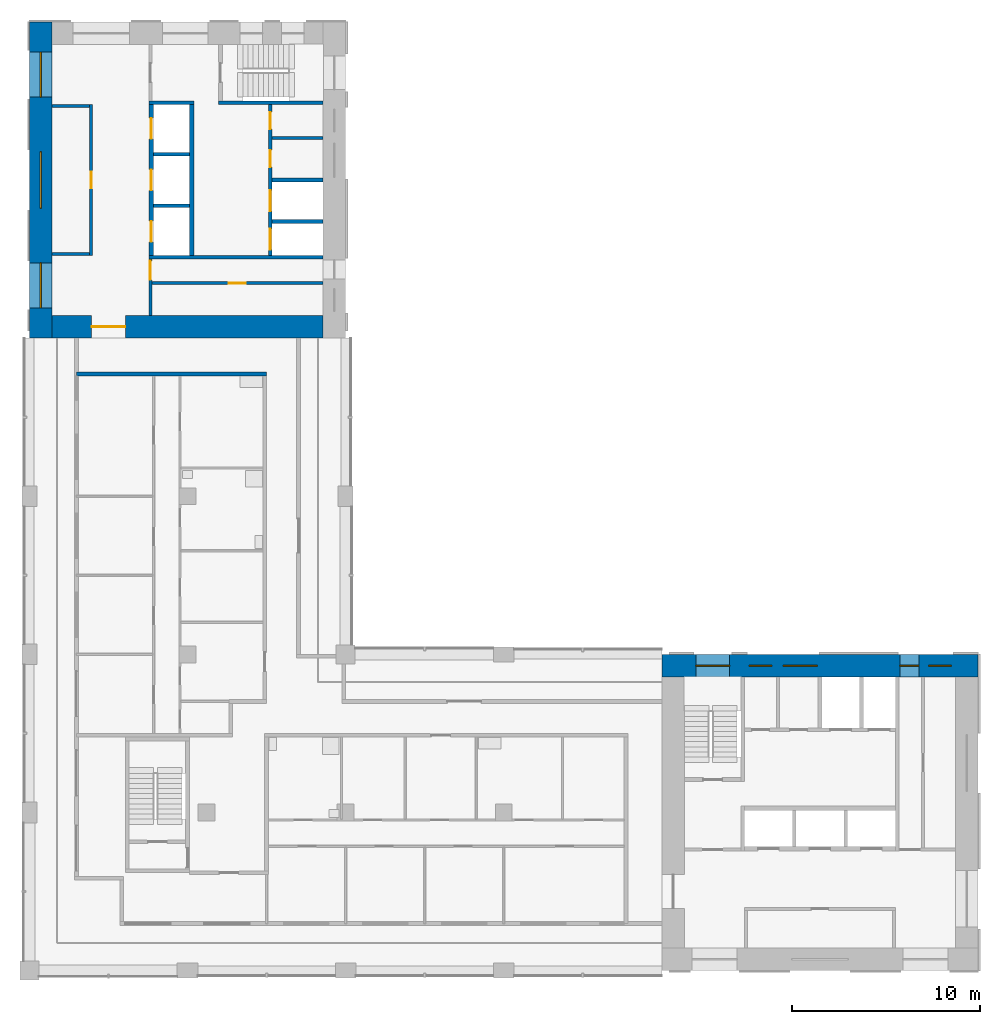
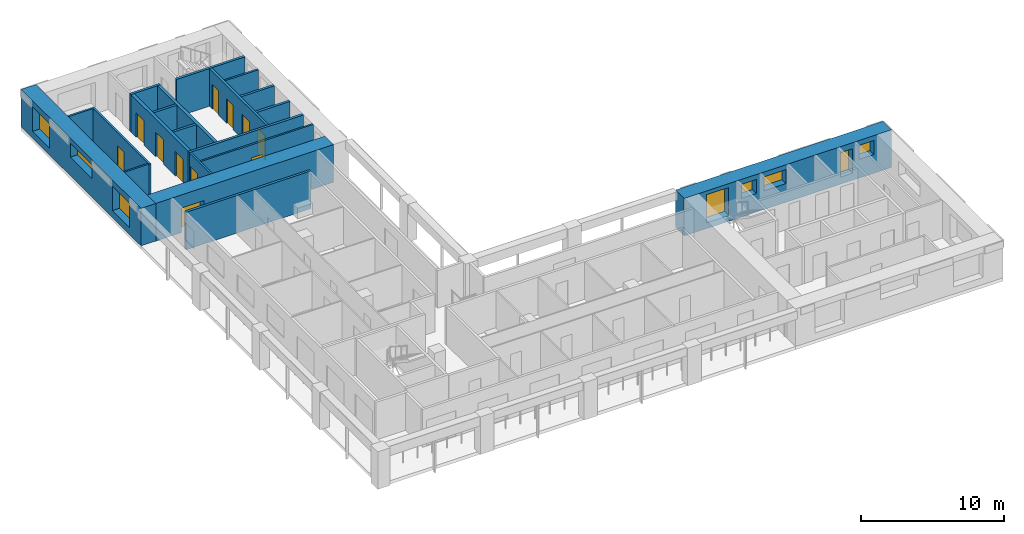
# One storey, part 5 of 9: 20 walls, 11 doors, 8 windows, 19 openings.
"""IFC4 building model written with IfcOpenShell, lengths in metres."""

import ifcopenshell
import ifcopenshell.guid

model = None  # the IFC model being written
_history = None  # IfcOwnerHistory: only IFC2X3 demands one
_inside = {}  # id of a spatial element -> (the spatial element, [elements in it])
_under = {}  # id of a project, library or spatial element -> (it, [spatial elements below it])
_declared = {}  # id of a project -> (the project, [libraries it declares])
_typed = {}  # id of a type object -> (the type object, [elements of that type])
_made_of = {}  # id of a material, layer set ... -> (it, [elements and type objects made of it])


def new_model(schema):
    """Start an empty IFC model of exactly this schema.

    Asked for "IFC4X3", IfcOpenShell would pick the latest addendum, in which some entities
    have other attributes; the version numbers below select the first issue.
    IFC2X3 requires an IfcOwnerHistory on every rooted entity: one is made here for all.
    """
    global model, _history
    if schema == "IFC4X3":
        model = ifcopenshell.file(schema_version=(4, 3, 0, 0))
    else:
        model = ifcopenshell.file(schema=schema)
    _inside.clear()
    _under.clear()
    _declared.clear()
    _typed.clear()
    _made_of.clear()
    _history = None
    if model.schema == "IFC2X3":
        org = make("IfcOrganization", Name="unknown")
        user = make(
            "IfcPersonAndOrganization",
            ThePerson=make("IfcPerson", FamilyName="unknown"),
            TheOrganization=org,
        )
        app = make(
            "IfcApplication",
            ApplicationDeveloper=org,
            Version="unknown",
            ApplicationFullName="unknown",
            ApplicationIdentifier="unknown",
        )
        _history = make(
            "IfcOwnerHistory",
            OwningUser=user,
            OwningApplication=app,
            ChangeAction="ADDED",
            CreationDate=0,
        )
    return model


def make(cls, **values):
    """One entity of the class cls with the attributes given. An attribute that is None is left unset."""
    return model.create_entity(
        cls, **{name: value for name, value in values.items() if value is not None}
    )


def rooted(cls, **values):
    """An entity with a GlobalId (a new one), such as an element, a storey or a relation."""
    return make(cls, GlobalId=ifcopenshell.guid.new(), OwnerHistory=_history, **values)


def si_unit(unit_type, name, prefix=None):
    """IfcSIUnit, for example si_unit("LENGTHUNIT", "METRE", prefix="MILLI")."""
    return make("IfcSIUnit", UnitType=unit_type, Prefix=prefix, Name=name)


def assignment(units):
    """IfcUnitAssignment: the units of a project."""
    return None if units is None else make("IfcUnitAssignment", Units=units)


def point(xyz):
    """IfcCartesianPoint."""
    return None if xyz is None else make("IfcCartesianPoint", Coordinates=xyz)


def direction(xyz):
    """IfcDirection."""
    return None if xyz is None else make("IfcDirection", DirectionRatios=xyz)


def frame(location, z_axis=None, x_axis=None):
    """IfcAxis2Placement3D, a coordinate frame: its origin and axes. An axis left out is left unset."""
    return make(
        "IfcAxis2Placement3D",
        Location=point(location),
        Axis=direction(z_axis),
        RefDirection=direction(x_axis),
    )


def frame_2d(location, x_axis=None):
    """IfcAxis2Placement2D, a coordinate frame in the plane: its origin and x axis."""
    return make(
        "IfcAxis2Placement2D", Location=point(location), RefDirection=direction(x_axis)
    )


def origin():
    """The frame at (0, 0, 0) with its axes left unset."""
    return frame((0.0, 0.0, 0.0))


def place(relative_to, where):
    """IfcLocalPlacement: puts the frame where relative to a parent placement (None: the world)."""
    return make(
        "IfcLocalPlacement", PlacementRelTo=relative_to, RelativePlacement=where
    )


def context(
    kind, dimensions, precision=None, world=None, true_north=None, identifier=None
):
    """IfcGeometricRepresentationContext, for example the 3D "Model" context."""
    return make(
        "IfcGeometricRepresentationContext",
        ContextIdentifier=identifier,
        ContextType=kind,
        CoordinateSpaceDimension=dimensions,
        Precision=precision,
        WorldCoordinateSystem=world,
        TrueNorth=true_north,
    )


def subcontext(parent, identifier, kind, view, scale=None):
    """IfcGeometricRepresentationSubContext, for example "Body" below "Model"."""
    return make(
        "IfcGeometricRepresentationSubContext",
        ContextIdentifier=identifier,
        ContextType=kind,
        ParentContext=parent,
        TargetScale=scale,
        TargetView=view,
    )


def project(units=None, contexts=None):
    """IfcProject with its units and contexts."""
    return rooted(
        "IfcProject",
        Name="project",
        RepresentationContexts=contexts,
        UnitsInContext=assignment(units),
    )


def spatial(cls, under=None, at=None, **own):
    """A site, building, storey or space (cls), placed at a placement, below another one or the project."""
    s = rooted(cls, ObjectPlacement=at, **own)
    if under is not None:
        _under.setdefault(under.id(), (under, []))[1].append(s)
    return s


def profile(cls, at=None, kind="AREA", **sizes):
    """A parametric profile (cls). Its sizes go by their IFC names, for example OverallWidth=200.0."""
    return make(cls, ProfileType=kind, Position=at, **sizes)


def rectangle(**sizes):
    """IfcRectangleProfileDef."""
    return profile("IfcRectangleProfileDef", **sizes)


def extrude(swept, where, along, depth):
    """IfcExtrudedAreaSolid: the profile swept, set in the frame where, extruded along a direction by depth."""
    return make(
        "IfcExtrudedAreaSolid",
        SweptArea=swept,
        Position=where,
        ExtrudedDirection=direction(along),
        Depth=depth,
    )


def shape(context_of_items, identifier, shape_type, items):
    """IfcShapeRepresentation: the items that make up one representation, for example the "Body"."""
    return make(
        "IfcShapeRepresentation",
        ContextOfItems=context_of_items,
        RepresentationIdentifier=identifier,
        RepresentationType=shape_type,
        Items=items,
    )


def material(Name=None, Category=None):
    """IfcMaterial."""
    return make("IfcMaterial", Name=Name, Category=Category)


def layer(
    of_material, thickness, ventilated=None, Name=None, Category=None, Priority=None
):
    """IfcMaterialLayer: one layer of a wall or slab, of a material (None: an air gap)."""
    return make(
        "IfcMaterialLayer",
        Material=of_material,
        LayerThickness=thickness,
        IsVentilated=ventilated,
        Name=Name,
        Category=Category,
        Priority=Priority,
    )


def layer_set(layers, Name=None):
    """IfcMaterialLayerSet."""
    return make("IfcMaterialLayerSet", MaterialLayers=layers, LayerSetName=Name)


def made_of(thing, what):
    """Note that an element or type object is made of a material, layer set ...; save() writes the relation."""
    if what is not None:
        _made_of.setdefault(what.id(), (what, []))[1].append(thing)
    return thing


def type_object(cls, material=None, **own):
    """A type object (cls), such as IfcWallType, which elements share."""
    return made_of(rooted(cls, **own), material)


def element(
    cls,
    number,
    at=None,
    inside=None,
    cuts=None,
    type_object=None,
    material=None,
    context=None,
    identifier="Body",
    shape_type=None,
    held_by="IfcProductDefinitionShape",
    body=None,
    shapes=None,
    **own,
):
    """One element of the class cls, such as IfcWall. Its Tag is "e" and its number.

    at: its placement. inside: the storey or other place that contains it. cuts: it is an
    opening in that element (IfcRelVoidsElement). A single representation is given by context,
    identifier, shape_type and body (its items); several are given by shapes. held_by: the class
    of the entity that holds the representations. save() writes the other relations.
    """
    e = rooted(cls, Tag="e%d" % number, ObjectPlacement=at, **own)
    if body is not None:
        shapes = [shape(context, identifier, shape_type, body)]
    if shapes is not None:
        e.Representation = make(held_by, Representations=shapes)
    if inside is not None:
        _inside.setdefault(inside.id(), (inside, []))[1].append(e)
    if cuts is not None:
        rooted(
            "IfcRelVoidsElement", RelatingBuildingElement=cuts, RelatedOpeningElement=e
        )
    if type_object is not None:
        _typed.setdefault(type_object.id(), (type_object, []))[1].append(e)
    return made_of(e, material)


def fill(opening, filler):
    """IfcRelFillsElement: the door or window that sits in an opening."""
    return rooted(
        "IfcRelFillsElement",
        RelatingOpeningElement=opening,
        RelatedBuildingElement=filler,
    )


def aggregate(whole, parts):
    """IfcRelAggregates: a whole, such as a stair, and the parts it consists of."""
    return rooted("IfcRelAggregates", RelatingObject=whole, RelatedObjects=parts)


def save(model, path):
    """Write the relations noted so far, then the file.

    IfcRelAggregates (storeys below a building ...), IfcRelContainedInSpatialStructure (elements
    in a storey), IfcRelDefinesByType, IfcRelAssociatesMaterial and IfcRelDeclares: one each for
    every whole, place, type object, material and project.
    """
    for whole, parts in _under.values():
        aggregate(whole, parts)
    for where, things in _inside.values():
        rooted(
            "IfcRelContainedInSpatialStructure",
            RelatedElements=things,
            RelatingStructure=where,
        )
    for kind, things in _typed.values():
        rooted("IfcRelDefinesByType", RelatedObjects=things, RelatingType=kind)
    for what, things in _made_of.values():
        rooted("IfcRelAssociatesMaterial", RelatedObjects=things, RelatingMaterial=what)
    for by, libraries in _declared.values():
        rooted("IfcRelDeclares", RelatingContext=by, RelatedDefinitions=libraries)
    model.write(path)


model = new_model("IFC4")

# Units and contexts
model_context = context("Model", 3, precision=1e-05, world=origin(), true_north=direction((0.0, 1.0)))
body_context = subcontext(model_context, "Body", "Model", "MODEL_VIEW")
ifc_project = project(units=[si_unit("LENGTHUNIT", "METRE"), si_unit("AREAUNIT", "SQUARE_METRE"), si_unit("VOLUMEUNIT", "CUBIC_METRE"), si_unit("PLANEANGLEUNIT", "RADIAN"), si_unit("MASSUNIT", "GRAM", prefix="KILO")], contexts=[model_context])

# Site, building, storey
site_placement = place(None, origin())
site = spatial("IfcSite", under=ifc_project, at=site_placement, CompositionType="ELEMENT")
building_placement = place(site_placement, origin())
building = spatial("IfcBuilding", under=site, at=building_placement, Name="Vermilion Gate Residences", CompositionType="ELEMENT")
storey_placement = place(building_placement, frame((0.0, 0.0, 245.699951171875)))
storey = spatial("IfcBuildingStorey", under=building, at=storey_placement, Name="L64", CompositionType="ELEMENT", Elevation=245.699951171875)

# Walls
ifc_material_1 = material(Name="Masonry blockwork", Category="masonry")
ifc_layer_1 = layer(ifc_material_1, 0.14990234375)
ifc_layer_set_1 = layer_set([ifc_layer_1], Name="BLOCKWORK PARTITION 150 EI 120")
wall_type_1 = type_object("IfcWallType", Name="BLOCKWORK PARTITION 150 EI 120", PredefinedType="PARTITIONING", material=ifc_layer_set_1)
for number, where, z_axis, x_axis, name in (
    (1, (9.60009765625, 54.324951171875, 0.0), (0.0, 0.0, 1.0), (1.0, 0.0, 0.0), "Core room partition B64-RW-W"),
    (2, (9.60009765625, 46.47509765625, 0.0), (0.0, 0.0, 1.0), (1.0, 0.0, 0.0), "Core room partition B64-RW-E"),
):
    element("IfcWall", number, at=place(storey_placement, frame(where, z_axis=z_axis, x_axis=x_axis)), inside=storey, type_object=wall_type_1, Name=name, PredefinedType="PARTITIONING", context=body_context, shape_type="SweptSolid", body=[
        extrude(rectangle(XDim=2.0, YDim=0.14990234375, at=frame_2d((1.0, 0.0))), origin(), (0.0, 0.0, 1.0), 3.219970703125),
    ])

# Wall, opening, door
wall_1_placement = place(storey_placement, frame((11.675048828125, 54.39990234375, 0.0), z_axis=(0.0, 0.0, 1.0), x_axis=(0.0, -1.0, 0.0)))
wall_1 = element("IfcWall", 3, at=wall_1_placement, inside=storey, type_object=wall_type_1, Name="Core room partition B64-LR-F", PredefinedType="PARTITIONING", context=body_context, shape_type="SweptSolid", body=[
    extrude(rectangle(XDim=8.0, YDim=0.14990234375, at=frame_2d((4.0, 0.0))), origin(), (0.0, 0.0, 1.0), 3.219970703125),
])
opening_1_placement = place(wall_1_placement, frame((3.550048828125, 0.0, 0.0)))
opening_1 = element("IfcOpeningElement", 4, at=opening_1_placement, cuts=wall_1, Name="Opening DK64102", PredefinedType="OPENING", context=body_context, shape_type="SweptSolid", body=[
    extrude(rectangle(XDim=0.89990234375, YDim=2.10009765625, at=frame_2d((0.449951171875, 1.050048828125))), frame((0.0, 0.0849609375, 0.0), z_axis=(0.0, -1.0, 0.0), x_axis=(1.0, 0.0, 0.0)), (0.0, 0.0, 1.0), 0.169921875),
])
ifc_material_2 = material(Name="Steel", Category="steel")
door_type_1 = type_object("IfcDoorType", Name="SERVICE ROOM DOOR FD60 900 X 2100", OperationType="SINGLE_SWING_LEFT", PredefinedType="DOOR", material=ifc_material_2)
door_1_placement = place(opening_1_placement, frame((0.89990234375, 0.0, 0.0), z_axis=(0.0, 0.0, 1.0), x_axis=(-1.0, 0.0, 0.0)))
door_1 = element("IfcDoor", 5, at=door_1_placement, inside=storey, type_object=door_type_1, Name="Refuse room B64", OperationType="SINGLE_SWING_RIGHT", OverallHeight=2.10009765625, OverallWidth=0.89990234375, PredefinedType="DOOR", context=body_context, shape_type="SweptSolid", body=[
    extrude(rectangle(XDim=0.89990234375, YDim=2.10009765625, at=frame_2d((0.449951171875, 1.050048828125))), frame((0.0, 0.02490234375, 0.0), z_axis=(0.0, -1.0, 0.0), x_axis=(1.0, 0.0, 0.0)), (0.0, 0.0, 1.0), 0.050048828125),
])
fill(opening_1, door_1)

# Wall
wall_2_placement = place(storey_placement, frame((21.300048828125, 52.637451171875, 0.0), z_axis=(0.0, 0.0, 1.0), x_axis=(1.0, 0.0, 0.0)))
element("IfcWall", 6, at=wall_2_placement, inside=storey, type_object=wall_type_1, Name="Core room partition B64-NR-P0", PredefinedType="PARTITIONING", context=body_context, shape_type="SweptSolid", body=[
    extrude(rectangle(XDim=2.699951171875, YDim=0.14990234375, at=frame_2d((1.35009765625, 0.0))), origin(), (0.0, 0.0, 1.0), 3.219970703125),
])

# Wall, opening, door
wall_3_placement = place(storey_placement, frame((14.824951171875, 46.199951171875, 0.0), z_axis=(0.0, 0.0, 1.0), x_axis=(0.0, -1.0, 0.0)))
wall_3 = element("IfcWall", 7, at=wall_3_placement, inside=storey, type_object=wall_type_1, Name="Core room partition B64-ES-S", PredefinedType="PARTITIONING", context=body_context, shape_type="SweptSolid", body=[
    extrude(rectangle(XDim=3.0, YDim=0.14990234375, at=frame_2d((1.5, 0.0))), origin(), (0.0, 0.0, 1.0), 3.219970703125),
])
opening_2_placement = place(wall_3_placement, frame((0.10009765625, 0.0, 0.0)))
opening_2 = element("IfcOpeningElement", 8, at=opening_2_placement, cuts=wall_3, Name="Opening DK64112", PredefinedType="OPENING", context=body_context, shape_type="SweptSolid", body=[
    extrude(rectangle(XDim=1.0, YDim=2.10009765625, at=frame_2d((0.5, 1.050048828125))), frame((0.0, 0.0849609375, 0.0), z_axis=(0.0, -1.0, 0.0), x_axis=(1.0, 0.0, 0.0)), (0.0, 0.0, 1.0), 0.169921875),
])
ifc_material_3 = material(Name="Steel", Category="steel")
door_type_2 = type_object("IfcDoorType", Name="FIRE DOOR FD60 1000 X 2100", OperationType="SINGLE_SWING_LEFT", PredefinedType="DOOR", material=ifc_material_3)
door_2_placement = place(opening_2_placement, frame((1.0, 0.0, 0.0), z_axis=(0.0, 0.0, 1.0), x_axis=(-1.0, 0.0, 0.0)))
door_2 = element("IfcDoor", 9, at=door_2_placement, inside=storey, type_object=door_type_2, Name="Service corridor door B64", OperationType="SINGLE_SWING_LEFT", OverallHeight=2.10009765625, OverallWidth=1.0, PredefinedType="DOOR", context=body_context, shape_type="SweptSolid", body=[
    extrude(rectangle(XDim=1.0, YDim=2.10009765625, at=frame_2d((0.5, 1.050048828125))), frame((0.0, 0.02490234375, 0.0), z_axis=(0.0, -1.0, 0.0), x_axis=(1.0, 0.0, 0.0)), (0.0, 0.0, 1.0), 0.050048828125),
])
fill(opening_2, door_2)

wall_4_placement = place(storey_placement, frame((14.89990234375, 44.925048828125, 0.0), z_axis=(0.0, 0.0, 1.0), x_axis=(1.0, 0.0, 0.0)))
wall_4 = element("IfcWall", 10, at=wall_4_placement, inside=storey, type_object=wall_type_1, Name="Core room partition B64-ES-W", PredefinedType="PARTITIONING", context=body_context, shape_type="SweptSolid", body=[
    extrude(rectangle(XDim=9.10009765625, YDim=0.14990234375, at=frame_2d((4.550048828125, 0.0))), origin(), (0.0, 0.0, 1.0), 3.219970703125),
])
opening_3_placement = place(wall_4_placement, frame((4.10009765625, 0.0, 0.0)))
opening_3 = element("IfcOpeningElement", 11, at=opening_3_placement, cuts=wall_4, Name="Opening DK64113", PredefinedType="OPENING", context=body_context, shape_type="SweptSolid", body=[
    extrude(rectangle(XDim=0.89990234375, YDim=2.10009765625, at=frame_2d((0.449951171875, 1.050048828125))), frame((0.0, 0.0849609375, 0.0), z_axis=(0.0, -1.0, 0.0), x_axis=(1.0, 0.0, 0.0)), (0.0, 0.0, 1.0), 0.169921875),
])
door_3_placement = place(opening_3_placement, frame((0.89990234375, 0.0, 0.0), z_axis=(0.0, 0.0, 1.0), x_axis=(-1.0, 0.0, 0.0)))
door_3 = element("IfcDoor", 12, at=door_3_placement, inside=storey, type_object=door_type_1, Name="Parcel room B64", OperationType="SINGLE_SWING_RIGHT", OverallHeight=2.10009765625, OverallWidth=0.89990234375, PredefinedType="DOOR", context=body_context, shape_type="SweptSolid", body=[
    extrude(rectangle(XDim=0.89990234375, YDim=2.10009765625, at=frame_2d((0.449951171875, 1.050048828125))), frame((0.0, 0.02490234375, 0.0), z_axis=(0.0, -1.0, 0.0), x_axis=(1.0, 0.0, 0.0)), (0.0, 0.0, 1.0), 0.050048828125),
])
fill(opening_3, door_3)

# Walls
ifc_material_4 = material(Name="Fire-rated plasterboard on steel studs", Category="steel")
ifc_layer_2 = layer(ifc_material_4, 0.199951171875)
ifc_layer_set_2 = layer_set([ifc_layer_2], Name="PARTY WALL 200 EI 120")
wall_type_2 = type_object("IfcWallType", Name="PARTY WALL 200 EI 120", PredefinedType="PARTITIONING", material=ifc_layer_set_2)
wall_5_placement = place(storey_placement, frame((10.89990234375, 40.10009765625, 0.0), z_axis=(0.0, 0.0, 1.0), x_axis=(1.0, 0.0, 0.0)))
element("IfcWall", 13, at=wall_5_placement, inside=storey, type_object=wall_type_2, Name="Party and corridor wall", PredefinedType="PARTITIONING", context=body_context, shape_type="SweptSolid", body=[
    extrude(rectangle(XDim=10.10009765625, YDim=0.199951171875, at=frame_2d((5.050048828125, 0.0))), origin(), (0.0, 0.0, 1.0), 3.219970703125),
])
ifc_material_5 = material(Name="Concrete C60", Category="concrete")
ifc_layer_3 = layer(ifc_material_5, 0.199951171875)
ifc_layer_set_3 = layer_set([ifc_layer_3], Name="RC CORE INTERNAL WALL 200 C60")
wall_type_3 = type_object("IfcWallType", Name="RC CORE INTERNAL WALL 200 C60", PredefinedType="SHEAR", material=ifc_layer_set_3)
for number, where, z_axis, x_axis, name in (
    (14, (15.0, 51.7666015625, 0.0), (0.0, 0.0, 1.0), (1.0, 0.0, 0.0), "Core internal wall B64-HR-D1"),
    (15, (15.0, 49.033447265625, 0.0), (0.0, 0.0, 1.0), (1.0, 0.0, 0.0), "Core internal wall B64-HR-D2"),
):
    element("IfcWall", number, at=place(storey_placement, frame(where, z_axis=z_axis, x_axis=x_axis)), inside=storey, type_object=wall_type_3, Name=name, PredefinedType="SHEAR", context=body_context, shape_type="SweptSolid", body=[
        extrude(rectangle(XDim=1.89990234375, YDim=0.199951171875, at=frame_2d((0.949951171875, 0.0))), origin(), (0.0, 0.0, 1.0), 3.219970703125),
    ])
for number, where, z_axis, x_axis, name in (
    (16, (21.300048828125, 50.39990234375, 0.0), (0.0, 0.0, 1.0), (1.0, 0.0, 0.0), "Core internal wall B64-FF-D0"),
    (17, (21.300048828125, 48.199951171875, 0.0), (0.0, 0.0, 1.0), (1.0, 0.0, 0.0), "Core internal wall B64-FF-D1"),
):
    element("IfcWall", number, at=place(storey_placement, frame(where, z_axis=z_axis, x_axis=x_axis)), inside=storey, type_object=wall_type_3, Name=name, PredefinedType="SHEAR", context=body_context, shape_type="SweptSolid", body=[
        extrude(rectangle(XDim=2.699951171875, YDim=0.199951171875, at=frame_2d((1.35009765625, 0.0))), origin(), (0.0, 0.0, 1.0), 3.219970703125),
    ])

# Wall, openings, doors
wall_6_placement = place(storey_placement, frame((21.199951171875, 54.39990234375, 0.0), z_axis=(0.0, 0.0, 1.0), x_axis=(0.0, -1.0, 0.0)))
wall_6 = element("IfcWall", 18, at=wall_6_placement, inside=storey, type_object=wall_type_3, Name="Core internal wall B64-FF-F", PredefinedType="SHEAR", context=body_context, shape_type="SweptSolid", body=[
    extrude(rectangle(XDim=8.0, YDim=0.199951171875, at=frame_2d((4.0, 0.0))), origin(), (0.0, 0.0, 1.0), 3.219970703125),
])
opening_4_placement = place(wall_6_placement, frame((0.393798828125, 0.0, 0.0)))
opening_4 = element("IfcOpeningElement", 19, at=opening_4_placement, cuts=wall_6, Name="Opening DK64106", PredefinedType="OPENING", context=body_context, shape_type="SweptSolid", body=[
    extrude(rectangle(XDim=0.89990234375, YDim=2.10009765625, at=frame_2d((0.449951171875, 1.050048828125))), frame((0.0, 0.10986328125, 0.0), z_axis=(0.0, -1.0, 0.0), x_axis=(1.0, 0.0, 0.0)), (0.0, 0.0, 1.0), 0.219970703125),
])
opening_5_placement = place(wall_6_placement, frame((2.418701171875, 0.0, 0.0)))
opening_5 = element("IfcOpeningElement", 20, at=opening_5_placement, cuts=wall_6, Name="Opening DK64107", PredefinedType="OPENING", context=body_context, shape_type="SweptSolid", body=[
    extrude(rectangle(XDim=0.89990234375, YDim=2.10009765625, at=frame_2d((0.449951171875, 1.050048828125))), frame((0.0, 0.10986328125, 0.0), z_axis=(0.0, -1.0, 0.0), x_axis=(1.0, 0.0, 0.0)), (0.0, 0.0, 1.0), 0.219970703125),
])
opening_6_placement = place(wall_6_placement, frame((4.550048828125, 0.0, 0.0)))
opening_6 = element("IfcOpeningElement", 21, at=opening_6_placement, cuts=wall_6, Name="Opening LD", PredefinedType="OPENING", context=body_context, shape_type="SweptSolid", body=[
    extrude(rectangle(XDim=1.10009765625, YDim=2.10009765625, at=frame_2d((0.550048828125, 1.050048828125))), frame((0.0, 0.10986328125, 0.0), z_axis=(0.0, -1.0, 0.0), x_axis=(1.0, 0.0, 0.0)), (0.0, 0.0, 1.0), 0.219970703125),
])
opening_7_placement = place(wall_6_placement, frame((6.60009765625, 0.0, 0.0)))
opening_7 = element("IfcOpeningElement", 22, at=opening_7_placement, cuts=wall_6, Name="Opening LD", PredefinedType="OPENING", context=body_context, shape_type="SweptSolid", body=[
    extrude(rectangle(XDim=1.10009765625, YDim=2.10009765625, at=frame_2d((0.550048828125, 1.050048828125))), frame((0.0, 0.10986328125, 0.0), z_axis=(0.0, -1.0, 0.0), x_axis=(1.0, 0.0, 0.0)), (0.0, 0.0, 1.0), 0.219970703125),
])
ifc_material_6 = material(Name="Stainless steel", Category="steel")
door_type_3 = type_object("IfcDoorType", Name="LIFT LANDING DOOR E60 1100 X 2100", OperationType="DOUBLE_DOOR_SLIDING", PredefinedType="DOOR", material=ifc_material_6)
door_4_placement = place(opening_6_placement, origin())
door_4 = element("IfcDoor", 23, at=door_4_placement, inside=storey, type_object=door_type_3, Name="Lift landing door LFB1", OperationType="DOUBLE_DOOR_SLIDING", OverallHeight=2.10009765625, OverallWidth=1.10009765625, PredefinedType="DOOR", context=body_context, shape_type="SweptSolid", body=[
    extrude(rectangle(XDim=1.10009765625, YDim=2.10009765625, at=frame_2d((0.550048828125, 1.050048828125))), frame((0.0, 0.02490234375, 0.0), z_axis=(0.0, -1.0, 0.0), x_axis=(1.0, 0.0, 0.0)), (0.0, 0.0, 1.0), 0.050048828125),
])
fill(opening_6, door_4)
door_5_placement = place(opening_7_placement, origin())
door_5 = element("IfcDoor", 24, at=door_5_placement, inside=storey, type_object=door_type_3, Name="Lift landing door LCB1", OperationType="DOUBLE_DOOR_SLIDING", OverallHeight=2.10009765625, OverallWidth=1.10009765625, PredefinedType="DOOR", context=body_context, shape_type="SweptSolid", body=[
    extrude(rectangle(XDim=1.10009765625, YDim=2.10009765625, at=frame_2d((0.550048828125, 1.050048828125))), frame((0.0, 0.02490234375, 0.0), z_axis=(0.0, -1.0, 0.0), x_axis=(1.0, 0.0, 0.0)), (0.0, 0.0, 1.0), 0.050048828125),
])
fill(opening_7, door_5)
door_6_placement = place(opening_4_placement, origin())
door_6 = element("IfcDoor", 25, at=door_6_placement, inside=storey, type_object=door_type_1, Name="Communications riser B64", OperationType="SINGLE_SWING_RIGHT", OverallHeight=2.10009765625, OverallWidth=0.89990234375, PredefinedType="DOOR", context=body_context, shape_type="SweptSolid", body=[
    extrude(rectangle(XDim=0.89990234375, YDim=2.10009765625, at=frame_2d((0.449951171875, 1.050048828125))), frame((0.0, 0.02490234375, 0.0), z_axis=(0.0, -1.0, 0.0), x_axis=(1.0, 0.0, 0.0)), (0.0, 0.0, 1.0), 0.050048828125),
])
fill(opening_4, door_6)
door_7_placement = place(opening_5_placement, origin())
door_7 = element("IfcDoor", 26, at=door_7_placement, inside=storey, type_object=door_type_1, Name="Refuse room B64", OperationType="SINGLE_SWING_RIGHT", OverallHeight=2.10009765625, OverallWidth=0.89990234375, PredefinedType="DOOR", context=body_context, shape_type="SweptSolid", body=[
    extrude(rectangle(XDim=0.89990234375, YDim=2.10009765625, at=frame_2d((0.449951171875, 1.050048828125))), frame((0.0, 0.02490234375, 0.0), z_axis=(0.0, -1.0, 0.0), x_axis=(1.0, 0.0, 0.0)), (0.0, 0.0, 1.0), 0.050048828125),
])
fill(opening_5, door_7)

# Walls
wall_7_placement = place(storey_placement, frame((14.75, 54.5, 0.0), z_axis=(0.0, 0.0, 1.0), x_axis=(1.0, 0.0, 0.0)))
element("IfcWall", 27, at=wall_7_placement, inside=storey, type_object=wall_type_3, Name="Core internal wall B64-WDIV1", PredefinedType="SHEAR", context=body_context, shape_type="SweptSolid", body=[
    extrude(rectangle(XDim=2.39990234375, YDim=0.199951171875, at=frame_2d((1.199951171875, 0.0))), origin(), (0.0, 0.0, 1.0), 3.219970703125),
])
wall_8_placement = place(storey_placement, frame((18.449951171875, 54.5, 0.0), z_axis=(0.0, 0.0, 1.0), x_axis=(1.0, 0.0, 0.0)))
element("IfcWall", 28, at=wall_8_placement, inside=storey, type_object=wall_type_3, Name="Core internal wall B64-WDIV2", PredefinedType="SHEAR", context=body_context, shape_type="SweptSolid", body=[
    extrude(rectangle(XDim=5.550048828125, YDim=0.199951171875, at=frame_2d((2.77490234375, 0.0))), origin(), (0.0, 0.0, 1.0), 3.219970703125),
])
wall_9_placement = place(storey_placement, frame((14.75, 46.300048828125, 0.0), z_axis=(0.0, 0.0, 1.0), x_axis=(1.0, 0.0, 0.0)))
element("IfcWall", 29, at=wall_9_placement, inside=storey, type_object=wall_type_3, Name="Core internal wall B64-EDIV", PredefinedType="SHEAR", context=body_context, shape_type="SweptSolid", body=[
    extrude(rectangle(XDim=9.25, YDim=0.199951171875, at=frame_2d((4.625, 0.0))), origin(), (0.0, 0.0, 1.0), 3.219970703125),
])

# Wall, opening, door
ifc_material_7 = material(Name="Concrete C50", Category="concrete")
ifc_layer_4 = layer(ifc_material_7, 1.199951171875)
ifc_layer_set_4 = layer_set([ifc_layer_4], Name="RC CORE WALL 1200 C50")
wall_type_4 = type_object("IfcWallType", Name="RC CORE WALL 1200 C50", PredefinedType="SHEAR", material=ifc_layer_set_4)
wall_10_placement = place(storey_placement, frame((9.60009765625, 42.60009765625, 0.0), z_axis=(0.0, 0.0, 1.0), x_axis=(1.0, 0.0, 0.0)))
wall_10 = element("IfcWall", 30, at=wall_10_placement, inside=storey, type_object=wall_type_4, Name="Core wall B64-OUT-BK", PredefinedType="SHEAR", context=body_context, shape_type="SweptSolid", body=[
    extrude(rectangle(XDim=14.39990234375, YDim=1.199951171875, at=frame_2d((7.199951171875, 0.0))), origin(), (0.0, 0.0, 1.0), 3.219970703125),
])
opening_8_placement = place(wall_10_placement, frame((2.10009765625, 0.0, 0.0)))
opening_8 = element("IfcOpeningElement", 31, at=opening_8_placement, cuts=wall_10, Name="Opening DK64101", PredefinedType="OPENING", context=body_context, shape_type="SweptSolid", body=[
    extrude(rectangle(XDim=1.800048828125, YDim=2.10009765625, at=frame_2d((0.89990234375, 1.050048828125))), frame((0.0, 0.60986328125, 0.0), z_axis=(0.0, -1.0, 0.0), x_axis=(1.0, 0.0, 0.0)), (0.0, 0.0, 1.0), 1.219970703125),
])
ifc_material_8 = material(Name="Steel", Category="steel")
door_type_4 = type_object("IfcDoorType", Name="CORE LOBBY DOOR FD60 1800 X 2100", OperationType="DOUBLE_DOOR_SINGLE_SWING", PredefinedType="DOOR", material=ifc_material_8)
door_8_placement = place(opening_8_placement, frame((1.800048828125, 0.0, 0.0), z_axis=(0.0, 0.0, 1.0), x_axis=(-1.0, 0.0, 0.0)))
door_8 = element("IfcDoor", 32, at=door_8_placement, inside=storey, type_object=door_type_4, Name="Core lobby door B64", OperationType="DOUBLE_DOOR_SINGLE_SWING", OverallHeight=2.10009765625, OverallWidth=1.800048828125, PredefinedType="DOOR", context=body_context, shape_type="SweptSolid", body=[
    extrude(rectangle(XDim=1.800048828125, YDim=2.10009765625, at=frame_2d((0.89990234375, 1.050048828125))), frame((0.0, 0.02490234375, 0.0), z_axis=(0.0, -1.0, 0.0), x_axis=(1.0, 0.0, 0.0)), (0.0, 0.0, 1.0), 0.050048828125),
])
fill(opening_8, door_8)

# Wall, openings, windows
ifc_material_9 = material(Name="Concrete C50 red-oxide pigmented", Category="concrete")
ifc_layer_5 = layer(ifc_material_9, 1.199951171875)
ifc_layer_set_5 = layer_set([ifc_layer_5], Name="RC CORE WALL 1200 C50 RED OXIDE")
wall_type_5 = type_object("IfcWallType", Name="RC CORE WALL 1200 C50 RED OXIDE", PredefinedType="SHEAR", material=ifc_layer_set_5)
wall_11_placement = place(storey_placement, frame((42.0, 24.60009765625, 0.0), z_axis=(0.0, 0.0, 1.0), x_axis=(1.0, 0.0, 0.0)))
wall_11 = element("IfcWall", 33, at=wall_11_placement, inside=storey, type_object=wall_type_5, Name="Core wall A64-OUT-B1", PredefinedType="SHEAR", context=body_context, shape_type="SweptSolid", body=[
    extrude(rectangle(XDim=16.800048828125, YDim=1.199951171875, at=frame_2d((8.39990234375, 0.0))), origin(), (0.0, 0.0, 1.0), 3.219970703125),
])
opening_9_placement = place(wall_11_placement, frame((1.800048828125, 0.0, 0.5)))
opening_9 = element("IfcOpeningElement", 34, at=opening_9_placement, cuts=wall_11, Name="Opening WKA6404", PredefinedType="OPENING", context=body_context, shape_type="SweptSolid", body=[
    extrude(rectangle(XDim=1.800048828125, YDim=2.39990234375, at=frame_2d((0.89990234375, 1.199951171875))), frame((0.0, 0.60986328125, 0.0), z_axis=(0.0, -1.0, 0.0), x_axis=(1.0, 0.0, 0.0)), (0.0, 0.0, 1.0), 1.219970703125),
])
opening_10_placement = place(wall_11_placement, frame((4.643798828125, 0.0, 1.60009765625)))
opening_10 = element("IfcOpeningElement", 35, at=opening_10_placement, cuts=wall_11, Name="Opening WKA6405", PredefinedType="OPENING", context=body_context, shape_type="SweptSolid", body=[
    extrude(rectangle(XDim=1.199951171875, YDim=1.199951171875, at=frame_2d((0.60009765625, 0.60009765625))), frame((0.0, 0.60986328125, 0.0), z_axis=(0.0, -1.0, 0.0), x_axis=(1.0, 0.0, 0.0)), (0.0, 0.0, 1.0), 1.219970703125),
])
opening_11_placement = place(wall_11_placement, frame((6.449951171875, 0.0, 1.60009765625)))
opening_11 = element("IfcOpeningElement", 36, at=opening_11_placement, cuts=wall_11, Name="Opening WKA6406", PredefinedType="OPENING", context=body_context, shape_type="SweptSolid", body=[
    extrude(rectangle(XDim=1.800048828125, YDim=1.199951171875, at=frame_2d((0.89990234375, 0.60009765625))), frame((0.0, 0.60986328125, 0.0), z_axis=(0.0, -1.0, 0.0), x_axis=(1.0, 0.0, 0.0)), (0.0, 0.0, 1.0), 1.219970703125),
])
opening_12_placement = place(wall_11_placement, frame((12.64990234375, 0.0, 0.60009765625)))
opening_12 = element("IfcOpeningElement", 37, at=opening_12_placement, cuts=wall_11, Name="Opening WKA6407", PredefinedType="OPENING", context=body_context, shape_type="SweptSolid", body=[
    extrude(rectangle(XDim=1.0, YDim=2.10009765625, at=frame_2d((0.5, 1.050048828125))), frame((0.0, 0.60986328125, 0.0), z_axis=(0.0, -1.0, 0.0), x_axis=(1.0, 0.0, 0.0)), (0.0, 0.0, 1.0), 1.219970703125),
])
opening_13_placement = place(wall_11_placement, frame((14.175048828125, 0.0, 1.60009765625)))
opening_13 = element("IfcOpeningElement", 38, at=opening_13_placement, cuts=wall_11, Name="Opening WKA6408", PredefinedType="OPENING", context=body_context, shape_type="SweptSolid", body=[
    extrude(rectangle(XDim=1.199951171875, YDim=1.199951171875, at=frame_2d((0.60009765625, 0.60009765625))), frame((0.0, 0.60986328125, 0.0), z_axis=(0.0, -1.0, 0.0), x_axis=(1.0, 0.0, 0.0)), (0.0, 0.0, 1.0), 1.219970703125),
])
ifc_material_10 = material(Name="Aluminium and clear glass", Category="aluminium")
window_type_1 = type_object("IfcWindowType", Name="CORE CORRIDOR WINDOW 1000 X 2100", PartitioningType="SINGLE_PANEL", PredefinedType="WINDOW", material=ifc_material_10)
window_1_placement = place(opening_12_placement, origin())
window_1 = element("IfcWindow", 39, at=window_1_placement, inside=storey, type_object=window_type_1, Name="Core corridor window", OverallHeight=2.10009765625, OverallWidth=1.0, PartitioningType="SINGLE_PANEL", PredefinedType="WINDOW", context=body_context, shape_type="SweptSolid", body=[
    extrude(rectangle(XDim=1.0, YDim=2.10009765625, at=frame_2d((0.5, 1.050048828125))), frame((0.0, 0.030029296875, 0.0), z_axis=(0.0, -1.0, 0.0), x_axis=(1.0, 0.0, 0.0)), (0.0, 0.0, 1.0), 0.06005859375),
])
fill(opening_12, window_1)
ifc_material_11 = material(Name="Aluminium frame with louvre blades", Category="aluminium")
window_type_2 = type_object("IfcWindowType", Name="CORE LOUVRE 1200 X 1200", PartitioningType="SINGLE_PANEL", PredefinedType="WINDOW", material=ifc_material_11)
window_2_placement = place(opening_10_placement, origin())
window_2 = element("IfcWindow", 40, at=window_2_placement, inside=storey, type_object=window_type_2, Name="Core louvre", OverallHeight=1.199951171875, OverallWidth=1.199951171875, PartitioningType="SINGLE_PANEL", PredefinedType="WINDOW", context=body_context, shape_type="SweptSolid", body=[
    extrude(rectangle(XDim=1.199951171875, YDim=1.199951171875, at=frame_2d((0.60009765625, 0.60009765625))), frame((0.0, 0.030029296875, 0.0), z_axis=(0.0, -1.0, 0.0), x_axis=(1.0, 0.0, 0.0)), (0.0, 0.0, 1.0), 0.06005859375),
])
fill(opening_10, window_2)
window_3_placement = place(opening_13_placement, origin())
window_3 = element("IfcWindow", 41, at=window_3_placement, inside=storey, type_object=window_type_2, Name="Core louvre", OverallHeight=1.199951171875, OverallWidth=1.199951171875, PartitioningType="SINGLE_PANEL", PredefinedType="WINDOW", context=body_context, shape_type="SweptSolid", body=[
    extrude(rectangle(XDim=1.199951171875, YDim=1.199951171875, at=frame_2d((0.60009765625, 0.60009765625))), frame((0.0, 0.030029296875, 0.0), z_axis=(0.0, -1.0, 0.0), x_axis=(1.0, 0.0, 0.0)), (0.0, 0.0, 1.0), 0.06005859375),
])
fill(opening_13, window_3)
ifc_material_12 = material(Name="Aluminium frame with louvre blades", Category="aluminium")
window_type_3 = type_object("IfcWindowType", Name="CORE LOUVRE 1800 X 1200", PartitioningType="SINGLE_PANEL", PredefinedType="WINDOW", material=ifc_material_12)
window_4_placement = place(opening_11_placement, origin())
window_4 = element("IfcWindow", 42, at=window_4_placement, inside=storey, type_object=window_type_3, Name="Core louvre", OverallHeight=1.199951171875, OverallWidth=1.800048828125, PartitioningType="SINGLE_PANEL", PredefinedType="WINDOW", context=body_context, shape_type="SweptSolid", body=[
    extrude(rectangle(XDim=1.800048828125, YDim=1.199951171875, at=frame_2d((0.89990234375, 0.60009765625))), frame((0.0, 0.030029296875, 0.0), z_axis=(0.0, -1.0, 0.0), x_axis=(1.0, 0.0, 0.0)), (0.0, 0.0, 1.0), 0.06005859375),
])
fill(opening_11, window_4)
ifc_material_13 = material(Name="Aluminium and clear glass", Category="aluminium")
window_type_4 = type_object("IfcWindowType", Name="CORE STAIR WINDOW 1800 X 2400", PartitioningType="SINGLE_PANEL", PredefinedType="WINDOW", material=ifc_material_13)
window_5_placement = place(opening_9_placement, origin())
window_5 = element("IfcWindow", 43, at=window_5_placement, inside=storey, type_object=window_type_4, Name="Core stair window", OverallHeight=2.39990234375, OverallWidth=1.800048828125, PartitioningType="SINGLE_PANEL", PredefinedType="WINDOW", context=body_context, shape_type="SweptSolid", body=[
    extrude(rectangle(XDim=1.800048828125, YDim=2.39990234375, at=frame_2d((0.89990234375, 1.199951171875))), frame((0.0, 0.030029296875, 0.0), z_axis=(0.0, -1.0, 0.0), x_axis=(1.0, 0.0, 0.0)), (0.0, 0.0, 1.0), 0.06005859375),
])
fill(opening_9, window_5)

wall_12_placement = place(storey_placement, frame((9.0, 58.800048828125, 0.0), z_axis=(0.0, 0.0, 1.0), x_axis=(0.0, -1.0, 0.0)))
wall_12 = element("IfcWall", 44, at=wall_12_placement, inside=storey, type_object=wall_type_5, Name="Core wall B64-OUT-B0", PredefinedType="SHEAR", context=body_context, shape_type="SweptSolid", body=[
    extrude(rectangle(XDim=16.800048828125, YDim=1.199951171875, at=frame_2d((8.39990234375, 0.0))), origin(), (0.0, 0.0, 1.0), 3.219970703125),
])
opening_14_placement = place(wall_12_placement, frame((1.60009765625, 0.0, 0.60009765625)))
opening_14 = element("IfcOpeningElement", 45, at=opening_14_placement, cuts=wall_12, Name="Opening WKB6401", PredefinedType="OPENING", context=body_context, shape_type="SweptSolid", body=[
    extrude(rectangle(XDim=2.39990234375, YDim=2.10009765625, at=frame_2d((1.199951171875, 1.050048828125))), frame((0.0, 0.60986328125, 0.0), z_axis=(0.0, -1.0, 0.0), x_axis=(1.0, 0.0, 0.0)), (0.0, 0.0, 1.0), 1.219970703125),
])
opening_15_placement = place(wall_12_placement, frame((6.89990234375, 0.0, 1.60009765625)))
opening_15 = element("IfcOpeningElement", 46, at=opening_15_placement, cuts=wall_12, Name="Opening WKB6402", PredefinedType="OPENING", context=body_context, shape_type="SweptSolid", body=[
    extrude(rectangle(XDim=3.0, YDim=1.199951171875, at=frame_2d((1.5, 0.60009765625))), frame((0.0, 0.60986328125, 0.0), z_axis=(0.0, -1.0, 0.0), x_axis=(1.0, 0.0, 0.0)), (0.0, 0.0, 1.0), 1.219970703125),
])
opening_16_placement = place(wall_12_placement, frame((12.800048828125, 0.0, 0.60009765625)))
opening_16 = element("IfcOpeningElement", 47, at=opening_16_placement, cuts=wall_12, Name="Opening WKB6403", PredefinedType="OPENING", context=body_context, shape_type="SweptSolid", body=[
    extrude(rectangle(XDim=2.39990234375, YDim=2.10009765625, at=frame_2d((1.199951171875, 1.050048828125))), frame((0.0, 0.60986328125, 0.0), z_axis=(0.0, -1.0, 0.0), x_axis=(1.0, 0.0, 0.0)), (0.0, 0.0, 1.0), 1.219970703125),
])
ifc_material_14 = material(Name="Aluminium and clear glass", Category="aluminium")
window_type_5 = type_object("IfcWindowType", Name="CORE LOBBY WINDOW 2400 X 2100", PartitioningType="SINGLE_PANEL", PredefinedType="WINDOW", material=ifc_material_14)
window_6_placement = place(opening_14_placement, origin())
window_6 = element("IfcWindow", 48, at=window_6_placement, inside=storey, type_object=window_type_5, Name="Core lobby window", OverallHeight=2.10009765625, OverallWidth=2.39990234375, PartitioningType="SINGLE_PANEL", PredefinedType="WINDOW", context=body_context, shape_type="SweptSolid", body=[
    extrude(rectangle(XDim=2.39990234375, YDim=2.10009765625, at=frame_2d((1.199951171875, 1.050048828125))), frame((0.0, 0.030029296875, 0.0), z_axis=(0.0, -1.0, 0.0), x_axis=(1.0, 0.0, 0.0)), (0.0, 0.0, 1.0), 0.06005859375),
])
fill(opening_14, window_6)
window_7_placement = place(opening_16_placement, origin())
window_7 = element("IfcWindow", 49, at=window_7_placement, inside=storey, type_object=window_type_5, Name="Core lobby window", OverallHeight=2.10009765625, OverallWidth=2.39990234375, PartitioningType="SINGLE_PANEL", PredefinedType="WINDOW", context=body_context, shape_type="SweptSolid", body=[
    extrude(rectangle(XDim=2.39990234375, YDim=2.10009765625, at=frame_2d((1.199951171875, 1.050048828125))), frame((0.0, 0.030029296875, 0.0), z_axis=(0.0, -1.0, 0.0), x_axis=(1.0, 0.0, 0.0)), (0.0, 0.0, 1.0), 0.06005859375),
])
fill(opening_16, window_7)
ifc_material_15 = material(Name="Aluminium frame with louvre blades", Category="aluminium")
window_type_6 = type_object("IfcWindowType", Name="CORE LOUVRE 3000 X 1200", PartitioningType="SINGLE_PANEL", PredefinedType="WINDOW", material=ifc_material_15)
window_8_placement = place(opening_15_placement, origin())
window_8 = element("IfcWindow", 50, at=window_8_placement, inside=storey, type_object=window_type_6, Name="Core louvre", OverallHeight=1.199951171875, OverallWidth=3.0, PartitioningType="SINGLE_PANEL", PredefinedType="WINDOW", context=body_context, shape_type="SweptSolid", body=[
    extrude(rectangle(XDim=3.0, YDim=1.199951171875, at=frame_2d((1.5, 0.60009765625))), frame((0.0, 0.030029296875, 0.0), z_axis=(0.0, -1.0, 0.0), x_axis=(1.0, 0.0, 0.0)), (0.0, 0.0, 1.0), 0.06005859375),
])
fill(opening_15, window_8)

# Wall, openings, doors
ifc_material_16 = material(Name="Concrete C60", Category="concrete")
ifc_layer_6 = layer(ifc_material_16, 0.25)
ifc_layer_set_6 = layer_set([ifc_layer_6], Name="RC LIFT SHAFT WALL 250 C60")
wall_type_6 = type_object("IfcWallType", Name="RC LIFT SHAFT WALL 250 C60", PredefinedType="SHEAR", material=ifc_layer_set_6)
wall_13_placement = place(storey_placement, frame((14.875, 54.39990234375, 0.0), z_axis=(0.0, 0.0, 1.0), x_axis=(0.0, -1.0, 0.0)))
wall_13 = element("IfcWall", 51, at=wall_13_placement, inside=storey, type_object=wall_type_6, Name="Lift shaft wall B64-HR-F", PredefinedType="SHEAR", context=body_context, shape_type="SweptSolid", body=[
    extrude(rectangle(XDim=8.0, YDim=0.25, at=frame_2d((4.0, 0.0))), origin(), (0.0, 0.0, 1.0), 3.219970703125),
])
opening_17_placement = place(wall_13_placement, frame((0.716552734375, 0.0, 0.0)))
opening_17 = element("IfcOpeningElement", 52, at=opening_17_placement, cuts=wall_13, Name="Opening LD", PredefinedType="OPENING", context=body_context, shape_type="SweptSolid", body=[
    extrude(rectangle(XDim=1.10009765625, YDim=2.10009765625, at=frame_2d((0.550048828125, 1.050048828125))), frame((0.0, 0.135009765625, 0.0), z_axis=(0.0, -1.0, 0.0), x_axis=(1.0, 0.0, 0.0)), (0.0, 0.0, 1.0), 0.27001953125),
])
opening_18_placement = place(wall_13_placement, frame((3.449951171875, 0.0, 0.0)))
opening_18 = element("IfcOpeningElement", 53, at=opening_18_placement, cuts=wall_13, Name="Opening LD", PredefinedType="OPENING", context=body_context, shape_type="SweptSolid", body=[
    extrude(rectangle(XDim=1.10009765625, YDim=2.10009765625, at=frame_2d((0.550048828125, 1.050048828125))), frame((0.0, 0.135009765625, 0.0), z_axis=(0.0, -1.0, 0.0), x_axis=(1.0, 0.0, 0.0)), (0.0, 0.0, 1.0), 0.27001953125),
])
opening_19_placement = place(wall_13_placement, frame((6.183349609375, 0.0, 0.0)))
opening_19 = element("IfcOpeningElement", 54, at=opening_19_placement, cuts=wall_13, Name="Opening LD", PredefinedType="OPENING", context=body_context, shape_type="SweptSolid", body=[
    extrude(rectangle(XDim=1.10009765625, YDim=2.10009765625, at=frame_2d((0.550048828125, 1.050048828125))), frame((0.0, 0.135009765625, 0.0), z_axis=(0.0, -1.0, 0.0), x_axis=(1.0, 0.0, 0.0)), (0.0, 0.0, 1.0), 0.27001953125),
])
door_9_placement = place(opening_17_placement, origin())
door_9 = element("IfcDoor", 55, at=door_9_placement, inside=storey, type_object=door_type_3, Name="Lift landing door HRB1", OperationType="DOUBLE_DOOR_SLIDING", OverallHeight=2.10009765625, OverallWidth=1.10009765625, PredefinedType="DOOR", context=body_context, shape_type="SweptSolid", body=[
    extrude(rectangle(XDim=1.10009765625, YDim=2.10009765625, at=frame_2d((0.550048828125, 1.050048828125))), frame((0.0, 0.02490234375, 0.0), z_axis=(0.0, -1.0, 0.0), x_axis=(1.0, 0.0, 0.0)), (0.0, 0.0, 1.0), 0.050048828125),
])
fill(opening_17, door_9)
door_10_placement = place(opening_18_placement, origin())
door_10 = element("IfcDoor", 56, at=door_10_placement, inside=storey, type_object=door_type_3, Name="Lift landing door HRB2", OperationType="DOUBLE_DOOR_SLIDING", OverallHeight=2.10009765625, OverallWidth=1.10009765625, PredefinedType="DOOR", context=body_context, shape_type="SweptSolid", body=[
    extrude(rectangle(XDim=1.10009765625, YDim=2.10009765625, at=frame_2d((0.550048828125, 1.050048828125))), frame((0.0, 0.02490234375, 0.0), z_axis=(0.0, -1.0, 0.0), x_axis=(1.0, 0.0, 0.0)), (0.0, 0.0, 1.0), 0.050048828125),
])
fill(opening_18, door_10)
door_11_placement = place(opening_19_placement, origin())
door_11 = element("IfcDoor", 57, at=door_11_placement, inside=storey, type_object=door_type_3, Name="Lift landing door HRB3", OperationType="DOUBLE_DOOR_SLIDING", OverallHeight=2.10009765625, OverallWidth=1.10009765625, PredefinedType="DOOR", context=body_context, shape_type="SweptSolid", body=[
    extrude(rectangle(XDim=1.10009765625, YDim=2.10009765625, at=frame_2d((0.550048828125, 1.050048828125))), frame((0.0, 0.02490234375, 0.0), z_axis=(0.0, -1.0, 0.0), x_axis=(1.0, 0.0, 0.0)), (0.0, 0.0, 1.0), 0.050048828125),
])
fill(opening_19, door_11)

# Wall
wall_14_placement = place(storey_placement, frame((17.02490234375, 54.39990234375, 0.0), z_axis=(0.0, 0.0, 1.0), x_axis=(0.0, -1.0, 0.0)))
element("IfcWall", 58, at=wall_14_placement, inside=storey, type_object=wall_type_6, Name="Lift shaft wall B64-HR-B", PredefinedType="SHEAR", context=body_context, shape_type="SweptSolid", body=[
    extrude(rectangle(XDim=8.0, YDim=0.25, at=frame_2d((4.0, 0.0))), origin(), (0.0, 0.0, 1.0), 3.219970703125),
])

save(model, "model.ifc")
